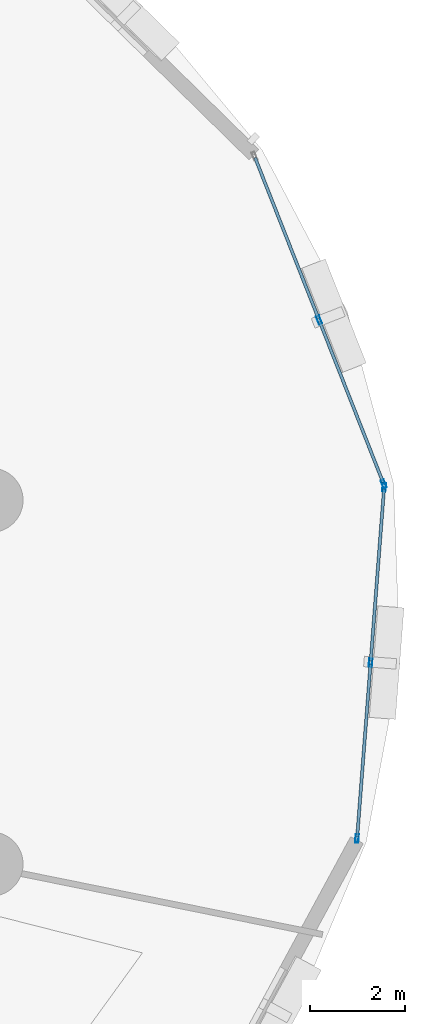
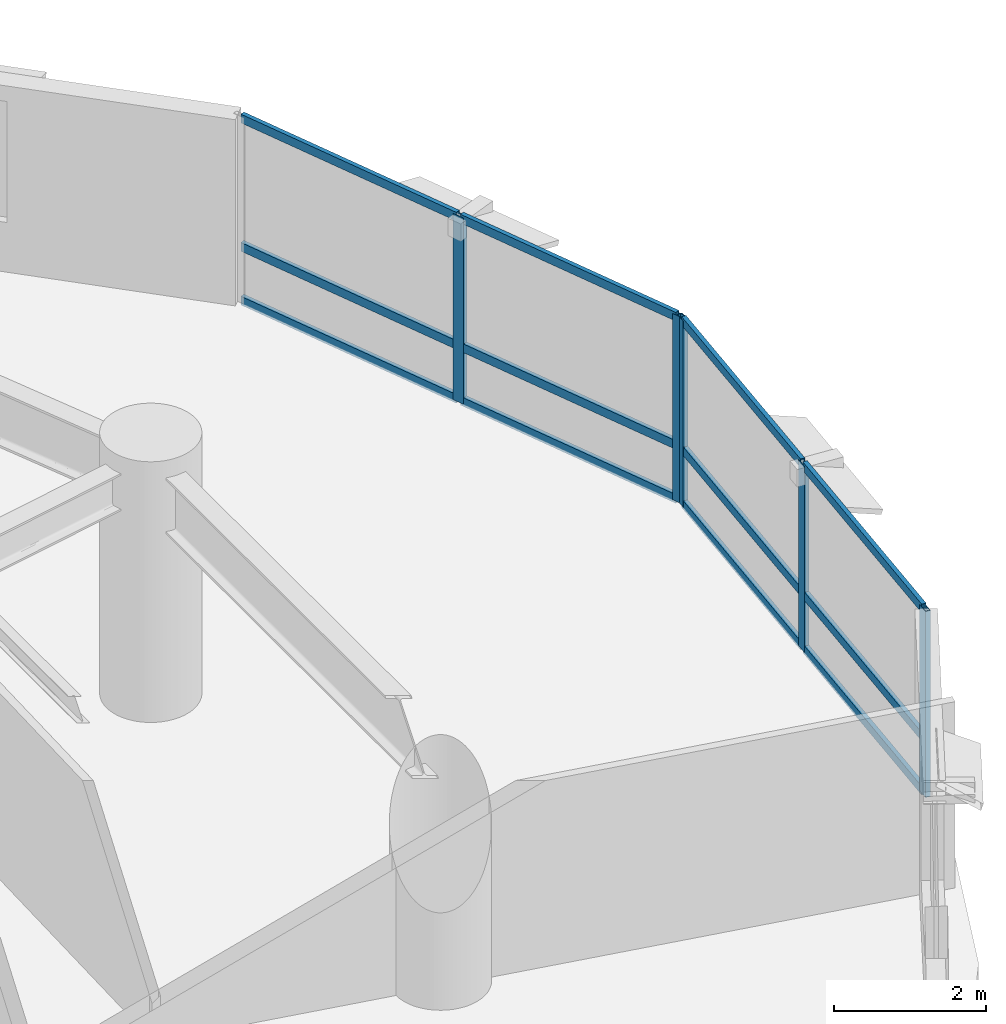
# One storey, part 8 of 17: 17 members, 2 elements without a shape of their own.
"""IFC4 building model written with IfcOpenShell, lengths in metres."""

import ifcopenshell
import ifcopenshell.guid

model = None  # the IFC model being written
_history = None  # IfcOwnerHistory: only IFC2X3 demands one
_inside = {}  # id of a spatial element -> (the spatial element, [elements in it])
_under = {}  # id of a project, library or spatial element -> (it, [spatial elements below it])
_declared = {}  # id of a project -> (the project, [libraries it declares])
_typed = {}  # id of a type object -> (the type object, [elements of that type])
_made_of = {}  # id of a material, layer set ... -> (it, [elements and type objects made of it])


def new_model(schema):
    """Start an empty IFC model of exactly this schema.

    Asked for "IFC4X3", IfcOpenShell would pick the latest addendum, in which some entities
    have other attributes; the version numbers below select the first issue.
    IFC2X3 requires an IfcOwnerHistory on every rooted entity: one is made here for all.
    """
    global model, _history
    if schema == "IFC4X3":
        model = ifcopenshell.file(schema_version=(4, 3, 0, 0))
    else:
        model = ifcopenshell.file(schema=schema)
    _inside.clear()
    _under.clear()
    _declared.clear()
    _typed.clear()
    _made_of.clear()
    _history = None
    if model.schema == "IFC2X3":
        org = make("IfcOrganization", Name="unknown")
        user = make(
            "IfcPersonAndOrganization",
            ThePerson=make("IfcPerson", FamilyName="unknown"),
            TheOrganization=org,
        )
        app = make(
            "IfcApplication",
            ApplicationDeveloper=org,
            Version="unknown",
            ApplicationFullName="unknown",
            ApplicationIdentifier="unknown",
        )
        _history = make(
            "IfcOwnerHistory",
            OwningUser=user,
            OwningApplication=app,
            ChangeAction="ADDED",
            CreationDate=0,
        )
    return model


def make(cls, **values):
    """One entity of the class cls with the attributes given. An attribute that is None is left unset."""
    return model.create_entity(
        cls, **{name: value for name, value in values.items() if value is not None}
    )


def rooted(cls, **values):
    """An entity with a GlobalId (a new one), such as an element, a storey or a relation."""
    return make(cls, GlobalId=ifcopenshell.guid.new(), OwnerHistory=_history, **values)


def si_unit(unit_type, name, prefix=None):
    """IfcSIUnit, for example si_unit("LENGTHUNIT", "METRE", prefix="MILLI")."""
    return make("IfcSIUnit", UnitType=unit_type, Prefix=prefix, Name=name)


def assignment(units):
    """IfcUnitAssignment: the units of a project."""
    return None if units is None else make("IfcUnitAssignment", Units=units)


def point(xyz):
    """IfcCartesianPoint."""
    return None if xyz is None else make("IfcCartesianPoint", Coordinates=xyz)


def direction(xyz):
    """IfcDirection."""
    return None if xyz is None else make("IfcDirection", DirectionRatios=xyz)


def frame(location, z_axis=None, x_axis=None):
    """IfcAxis2Placement3D, a coordinate frame: its origin and axes. An axis left out is left unset."""
    return make(
        "IfcAxis2Placement3D",
        Location=point(location),
        Axis=direction(z_axis),
        RefDirection=direction(x_axis),
    )


def frame_2d(location, x_axis=None):
    """IfcAxis2Placement2D, a coordinate frame in the plane: its origin and x axis."""
    return make(
        "IfcAxis2Placement2D", Location=point(location), RefDirection=direction(x_axis)
    )


def origin():
    """The frame at (0, 0, 0) with its axes left unset."""
    return frame((0.0, 0.0, 0.0))


def origin_2d():
    """The frame at (0, 0) in the plane with its x axis left unset."""
    return frame_2d((0.0, 0.0))


def place(relative_to, where):
    """IfcLocalPlacement: puts the frame where relative to a parent placement (None: the world)."""
    return make(
        "IfcLocalPlacement", PlacementRelTo=relative_to, RelativePlacement=where
    )


def context(
    kind, dimensions, precision=None, world=None, true_north=None, identifier=None
):
    """IfcGeometricRepresentationContext, for example the 3D "Model" context."""
    return make(
        "IfcGeometricRepresentationContext",
        ContextIdentifier=identifier,
        ContextType=kind,
        CoordinateSpaceDimension=dimensions,
        Precision=precision,
        WorldCoordinateSystem=world,
        TrueNorth=true_north,
    )


def subcontext(parent, identifier, kind, view, scale=None):
    """IfcGeometricRepresentationSubContext, for example "Body" below "Model"."""
    return make(
        "IfcGeometricRepresentationSubContext",
        ContextIdentifier=identifier,
        ContextType=kind,
        ParentContext=parent,
        TargetScale=scale,
        TargetView=view,
    )


def project(units=None, contexts=None):
    """IfcProject with its units and contexts."""
    return rooted(
        "IfcProject",
        Name="project",
        RepresentationContexts=contexts,
        UnitsInContext=assignment(units),
    )


def spatial(cls, under=None, at=None, **own):
    """A site, building, storey or space (cls), placed at a placement, below another one or the project."""
    s = rooted(cls, ObjectPlacement=at, **own)
    if under is not None:
        _under.setdefault(under.id(), (under, []))[1].append(s)
    return s


def profile(cls, at=None, kind="AREA", **sizes):
    """A parametric profile (cls). Its sizes go by their IFC names, for example OverallWidth=200.0."""
    return make(cls, ProfileType=kind, Position=at, **sizes)


def hollow_rectangle(**sizes):
    """IfcRectangleHollowProfileDef."""
    return profile("IfcRectangleHollowProfileDef", **sizes)


def extrude(swept, where, along, depth):
    """IfcExtrudedAreaSolid: the profile swept, set in the frame where, extruded along a direction by depth."""
    return make(
        "IfcExtrudedAreaSolid",
        SweptArea=swept,
        Position=where,
        ExtrudedDirection=direction(along),
        Depth=depth,
    )


def shape(context_of_items, identifier, shape_type, items):
    """IfcShapeRepresentation: the items that make up one representation, for example the "Body"."""
    return make(
        "IfcShapeRepresentation",
        ContextOfItems=context_of_items,
        RepresentationIdentifier=identifier,
        RepresentationType=shape_type,
        Items=items,
    )


def material(Name=None, Category=None):
    """IfcMaterial."""
    return make("IfcMaterial", Name=Name, Category=Category)


def layer(
    of_material, thickness, ventilated=None, Name=None, Category=None, Priority=None
):
    """IfcMaterialLayer: one layer of a wall or slab, of a material (None: an air gap)."""
    return make(
        "IfcMaterialLayer",
        Material=of_material,
        LayerThickness=thickness,
        IsVentilated=ventilated,
        Name=Name,
        Category=Category,
        Priority=Priority,
    )


def layer_set(layers, Name=None):
    """IfcMaterialLayerSet."""
    return make("IfcMaterialLayerSet", MaterialLayers=layers, LayerSetName=Name)


def material_profile(
    of_material, cross_section, Name=None, Category=None, Priority=None
):
    """IfcMaterialProfile: a cross section and its material."""
    return make(
        "IfcMaterialProfile",
        Name=Name,
        Material=of_material,
        Profile=cross_section,
        Priority=Priority,
        Category=Category,
    )


def profile_set(profiles, Name=None, composite=None):
    """IfcMaterialProfileSet."""
    return make(
        "IfcMaterialProfileSet",
        Name=Name,
        MaterialProfiles=profiles,
        CompositeProfile=composite,
    )


def made_of(thing, what):
    """Note that an element or type object is made of a material, layer set ...; save() writes the relation."""
    if what is not None:
        _made_of.setdefault(what.id(), (what, []))[1].append(thing)
    return thing


def type_object(cls, material=None, **own):
    """A type object (cls), such as IfcWallType, which elements share."""
    return made_of(rooted(cls, **own), material)


def element(
    cls,
    number,
    at=None,
    inside=None,
    cuts=None,
    type_object=None,
    material=None,
    context=None,
    identifier="Body",
    shape_type=None,
    held_by="IfcProductDefinitionShape",
    body=None,
    shapes=None,
    **own,
):
    """One element of the class cls, such as IfcWall. Its Tag is "e" and its number.

    at: its placement. inside: the storey or other place that contains it. cuts: it is an
    opening in that element (IfcRelVoidsElement). A single representation is given by context,
    identifier, shape_type and body (its items); several are given by shapes. held_by: the class
    of the entity that holds the representations. save() writes the other relations.
    """
    e = rooted(cls, Tag="e%d" % number, ObjectPlacement=at, **own)
    if body is not None:
        shapes = [shape(context, identifier, shape_type, body)]
    if shapes is not None:
        e.Representation = make(held_by, Representations=shapes)
    if inside is not None:
        _inside.setdefault(inside.id(), (inside, []))[1].append(e)
    if cuts is not None:
        rooted(
            "IfcRelVoidsElement", RelatingBuildingElement=cuts, RelatedOpeningElement=e
        )
    if type_object is not None:
        _typed.setdefault(type_object.id(), (type_object, []))[1].append(e)
    return made_of(e, material)


def aggregate(whole, parts):
    """IfcRelAggregates: a whole, such as a stair, and the parts it consists of."""
    return rooted("IfcRelAggregates", RelatingObject=whole, RelatedObjects=parts)


def save(model, path):
    """Write the relations noted so far, then the file.

    IfcRelAggregates (storeys below a building ...), IfcRelContainedInSpatialStructure (elements
    in a storey), IfcRelDefinesByType, IfcRelAssociatesMaterial and IfcRelDeclares: one each for
    every whole, place, type object, material and project.
    """
    for whole, parts in _under.values():
        aggregate(whole, parts)
    for where, things in _inside.values():
        rooted(
            "IfcRelContainedInSpatialStructure",
            RelatedElements=things,
            RelatingStructure=where,
        )
    for kind, things in _typed.values():
        rooted("IfcRelDefinesByType", RelatedObjects=things, RelatingType=kind)
    for what, things in _made_of.values():
        rooted("IfcRelAssociatesMaterial", RelatedObjects=things, RelatingMaterial=what)
    for by, libraries in _declared.values():
        rooted("IfcRelDeclares", RelatingContext=by, RelatedDefinitions=libraries)
    model.write(path)


model = new_model("IFC4")

# Units and contexts
model_context = context("Model", 3, precision=1e-05, world=origin(), true_north=direction((0.0, 1.0)))
body_context = subcontext(model_context, "Body", "Model", "MODEL_VIEW")
ifc_project = project(units=[si_unit("LENGTHUNIT", "METRE"), si_unit("AREAUNIT", "SQUARE_METRE"), si_unit("VOLUMEUNIT", "CUBIC_METRE"), si_unit("PLANEANGLEUNIT", "RADIAN"), si_unit("MASSUNIT", "GRAM", prefix="KILO"), si_unit("THERMODYNAMICTEMPERATUREUNIT", "KELVIN"), si_unit("POWERUNIT", "WATT")], contexts=[model_context])

# Site, building, storey
site_placement = place(None, origin())
site = spatial("IfcSite", under=ifc_project, at=site_placement, CompositionType="ELEMENT")
building_placement = place(site_placement, origin())
building = spatial("IfcBuilding", under=site, at=building_placement, Name="Ocrelia Relay Tower", CompositionType="ELEMENT")
storey_placement = place(building_placement, frame((0.0, 0.0, 67.800048828125)))
storey = spatial("IfcBuildingStorey", under=building, at=storey_placement, Name="L15", CompositionType="ELEMENT", Elevation=67.800048828125)

# Curtain wall, members
ifc_material_1 = material(Name="Aluminium and solar-control low-E glass", Category="aluminium")
ifc_layer = layer(ifc_material_1, 0.179931640625, Name="Aluminium and solar-control low-E glass")
ifc_layer_set = layer_set([ifc_layer], Name="Aluminium and solar-control low-E glass")
curtain_wall_type = type_object("IfcCurtainWallType", Name="CW-SYS-Z1-DATA", PredefinedType="NOTDEFINED", material=ifc_layer_set)
curtain_wall_1_placement = place(storey_placement, origin())
curtain_wall_1 = element("IfcCurtainWall", 1, at=curtain_wall_1_placement, inside=storey, type_object=curtain_wall_type, Name="L15 Elliptical Tower Curtain Wall Bay 01", PredefinedType="NOTDEFINED")
ifc_material_2 = material(Name="Anodised bronze aluminium", Category="aluminium")
ifc_material_profile_1 = material_profile(ifc_material_2, hollow_rectangle(XDim=0.070068359375, YDim=0.179931640625, WallThickness=0.006103515625, at=origin_2d()), Name="CW-MUL-180x70")
ifc_profile_set_1 = profile_set([ifc_material_profile_1], Name="Anodised bronze aluminium")
member_type_1 = type_object("IfcMemberType", Name="CW-SYS-Z1-DATA-MUL", PredefinedType="MULLION", material=ifc_profile_set_1)
member_1_placement = place(storey_placement, frame((61.478271484375, 30.165771484375, 0.0), z_axis=(0.0, 0.0, 1.0), x_axis=(-0.930352257537, -0.366666983645, 0.0)))
member_1 = element("IfcMember", 2, at=member_1_placement, type_object=member_type_1, Name="CW-Z1 mullion 1", PredefinedType="MULLION", context=body_context, shape_type="SweptSolid", body=[
    extrude(hollow_rectangle(XDim=0.070068359375, YDim=0.179931640625, WallThickness=0.006103515625, at=origin_2d()), origin(), (0.0, 0.0, 1.0), 3.0),
])
member_2_placement = place(storey_placement, frame((60.12060546875, 33.610595703125, 0.0), z_axis=(0.0, 0.0, 1.0), x_axis=(-0.930352257537, -0.366666983645, 0.0)))
member_2 = element("IfcMember", 3, at=member_2_placement, type_object=member_type_1, Name="CW-Z1 mullion 2", PredefinedType="MULLION", context=body_context, shape_type="SweptSolid", body=[
    extrude(hollow_rectangle(XDim=0.070068359375, YDim=0.179931640625, WallThickness=0.006103515625, at=origin_2d()), origin(), (0.0, 0.0, 1.0), 3.0),
])

curtain_wall_2_placement = place(storey_placement, origin())
curtain_wall_2 = element("IfcCurtainWall", 4, at=curtain_wall_2_placement, inside=storey, type_object=curtain_wall_type, Name="L15 Elliptical Tower Curtain Wall Bay 18", PredefinedType="NOTDEFINED")
member_3_placement = place(storey_placement, frame((60.9189453125, 22.714599609375, 0.0), z_axis=(0.0, 0.0, 1.0), x_axis=(-0.997039436731, 0.076891882558, 0.0)))
member_3 = element("IfcMember", 5, at=member_3_placement, type_object=member_type_1, Name="CW-Z1 mullion 1", PredefinedType="MULLION", context=body_context, shape_type="SweptSolid", body=[
    extrude(hollow_rectangle(XDim=0.070068359375, YDim=0.179931640625, WallThickness=0.006103515625, at=origin_2d()), origin(), (0.0, 0.0, 1.0), 3.0),
])
member_4_placement = place(storey_placement, frame((61.20361328125, 26.406494140625, 0.0), z_axis=(0.0, 0.0, 1.0), x_axis=(-0.997039436731, 0.076891882558, 0.0)))
member_4 = element("IfcMember", 6, at=member_4_placement, type_object=member_type_1, Name="CW-Z1 mullion 2", PredefinedType="MULLION", context=body_context, shape_type="SweptSolid", body=[
    extrude(hollow_rectangle(XDim=0.070068359375, YDim=0.179931640625, WallThickness=0.006103515625, at=origin_2d()), origin(), (0.0, 0.0, 1.0), 3.0),
])
member_5_placement = place(storey_placement, frame((61.48828125, 30.09814453125, 0.0), z_axis=(0.0, 0.0, 1.0), x_axis=(-0.997039436731, 0.076891882558, 0.0)))
member_5 = element("IfcMember", 7, at=member_5_placement, type_object=member_type_1, Name="CW-Z1 mullion 3", PredefinedType="MULLION", context=body_context, shape_type="SweptSolid", body=[
    extrude(hollow_rectangle(XDim=0.070068359375, YDim=0.179931640625, WallThickness=0.006103515625, at=origin_2d()), origin(), (0.0, 0.0, 1.0), 3.0),
])

# Member
ifc_material_profile_2 = material_profile(ifc_material_2, hollow_rectangle(XDim=0.06494140625, YDim=0.139892578125, WallThickness=0.0048828125, at=origin_2d()), Name="CW-TRN-140x65")
ifc_profile_set_2 = profile_set([ifc_material_profile_2], Name="Anodised bronze aluminium")
member_type_2 = type_object("IfcMemberType", Name="CW-SYS-Z1-DATA-TRN", PredefinedType="USERDEFINED", material=ifc_profile_set_2)
member_6_placement = place(storey_placement, frame((61.46533203125, 30.1982421875, 0.032470703125), z_axis=(-0.366681418555, 0.930346568375, 0.0), x_axis=(-0.930346568375, -0.366681418555, 0.0)))
member_6 = element("IfcMember", 8, at=member_6_placement, type_object=member_type_2, Name="CW-Z1 transom 1.1", ObjectType="TRANSOM", PredefinedType="USERDEFINED", context=body_context, shape_type="SweptSolid", body=[
    extrude(hollow_rectangle(XDim=0.06494140625, YDim=0.139892578125, WallThickness=0.0048828125, at=origin_2d()), origin(), (0.0, 0.0, 1.0), 3.632568359375),
])

member_7_placement = place(storey_placement, frame((61.46533203125, 30.1982421875, 0.89990234375), z_axis=(-0.366681418555, 0.930346568375, 0.0), x_axis=(-0.930346568375, -0.366681418555, 0.0)))
member_7 = element("IfcMember", 9, at=member_7_placement, type_object=member_type_2, Name="CW-Z1 transom 1.2", ObjectType="TRANSOM", PredefinedType="USERDEFINED", context=body_context, shape_type="SweptSolid", body=[
    extrude(hollow_rectangle(XDim=0.06494140625, YDim=0.139892578125, WallThickness=0.0048828125, at=origin_2d()), origin(), (0.0, 0.0, 1.0), 3.632568359375),
])

member_8_placement = place(storey_placement, frame((61.46533203125, 30.1982421875, 2.967529296875), z_axis=(-0.366681418555, 0.930346568375, 0.0), x_axis=(-0.930346568375, -0.366681418555, 0.0)))
member_8 = element("IfcMember", 10, at=member_8_placement, type_object=member_type_2, Name="CW-Z1 transom 1.3", ObjectType="TRANSOM", PredefinedType="USERDEFINED", context=body_context, shape_type="SweptSolid", body=[
    extrude(hollow_rectangle(XDim=0.06494140625, YDim=0.139892578125, WallThickness=0.0048828125, at=origin_2d()), origin(), (0.0, 0.0, 1.0), 3.632568359375),
])

member_9_placement = place(storey_placement, frame((60.107666015625, 33.64306640625, 0.032470703125), z_axis=(-0.366681418555, 0.930346568375, 0.0), x_axis=(-0.930346568375, -0.366681418555, 0.0)))
member_9 = element("IfcMember", 11, at=member_9_placement, type_object=member_type_2, Name="CW-Z1 transom 2.1", ObjectType="TRANSOM", PredefinedType="USERDEFINED", context=body_context, shape_type="SweptSolid", body=[
    extrude(hollow_rectangle(XDim=0.06494140625, YDim=0.139892578125, WallThickness=0.0048828125, at=origin_2d()), origin(), (0.0, 0.0, 1.0), 3.632568359375),
])

member_10_placement = place(storey_placement, frame((60.107666015625, 33.64306640625, 0.89990234375), z_axis=(-0.366681418555, 0.930346568375, 0.0), x_axis=(-0.930346568375, -0.366681418555, 0.0)))
member_10 = element("IfcMember", 12, at=member_10_placement, type_object=member_type_2, Name="CW-Z1 transom 2.2", ObjectType="TRANSOM", PredefinedType="USERDEFINED", context=body_context, shape_type="SweptSolid", body=[
    extrude(hollow_rectangle(XDim=0.06494140625, YDim=0.139892578125, WallThickness=0.0048828125, at=origin_2d()), origin(), (0.0, 0.0, 1.0), 3.632568359375),
])

member_11_placement = place(storey_placement, frame((60.107666015625, 33.64306640625, 2.967529296875), z_axis=(-0.366681418555, 0.930346568375, 0.0), x_axis=(-0.930346568375, -0.366681418555, 0.0)))
member_11 = element("IfcMember", 13, at=member_11_placement, type_object=member_type_2, Name="CW-Z1 transom 2.3", ObjectType="TRANSOM", PredefinedType="USERDEFINED", context=body_context, shape_type="SweptSolid", body=[
    extrude(hollow_rectangle(XDim=0.06494140625, YDim=0.139892578125, WallThickness=0.0048828125, at=origin_2d()), origin(), (0.0, 0.0, 1.0), 3.632568359375),
])

aggregate(curtain_wall_1, [member_1, member_2, member_6, member_7, member_8, member_9, member_10, member_11])

member_12_placement = place(storey_placement, frame((60.921630859375, 22.74951171875, 0.032470703125), z_axis=(0.076881506537, 0.997040236877, 0.0), x_axis=(-0.997040236877, 0.076881506537, 0.0)))
member_12 = element("IfcMember", 14, at=member_12_placement, type_object=member_type_2, Name="CW-Z1 transom 1.1", ObjectType="TRANSOM", PredefinedType="USERDEFINED", context=body_context, shape_type="SweptSolid", body=[
    extrude(hollow_rectangle(XDim=0.06494140625, YDim=0.139892578125, WallThickness=0.0048828125, at=origin_2d()), origin(), (0.0, 0.0, 1.0), 3.6328125),
])

member_13_placement = place(storey_placement, frame((60.921630859375, 22.74951171875, 0.89990234375), z_axis=(0.076881506537, 0.997040236877, 0.0), x_axis=(-0.997040236877, 0.076881506537, 0.0)))
member_13 = element("IfcMember", 15, at=member_13_placement, type_object=member_type_2, Name="CW-Z1 transom 1.2", ObjectType="TRANSOM", PredefinedType="USERDEFINED", context=body_context, shape_type="SweptSolid", body=[
    extrude(hollow_rectangle(XDim=0.06494140625, YDim=0.139892578125, WallThickness=0.0048828125, at=origin_2d()), origin(), (0.0, 0.0, 1.0), 3.6328125),
])

member_14_placement = place(storey_placement, frame((60.921630859375, 22.74951171875, 2.967529296875), z_axis=(0.076881506537, 0.997040236877, 0.0), x_axis=(-0.997040236877, 0.076881506537, 0.0)))
member_14 = element("IfcMember", 16, at=member_14_placement, type_object=member_type_2, Name="CW-Z1 transom 1.3", ObjectType="TRANSOM", PredefinedType="USERDEFINED", context=body_context, shape_type="SweptSolid", body=[
    extrude(hollow_rectangle(XDim=0.06494140625, YDim=0.139892578125, WallThickness=0.0048828125, at=origin_2d()), origin(), (0.0, 0.0, 1.0), 3.6328125),
])

member_15_placement = place(storey_placement, frame((61.206298828125, 26.44140625, 0.032470703125), z_axis=(0.076886658343, 0.99703983961, 0.0), x_axis=(-0.99703983961, 0.076886658343, 0.0)))
member_15 = element("IfcMember", 17, at=member_15_placement, type_object=member_type_2, Name="CW-Z1 transom 2.1", ObjectType="TRANSOM", PredefinedType="USERDEFINED", context=body_context, shape_type="SweptSolid", body=[
    extrude(hollow_rectangle(XDim=0.06494140625, YDim=0.139892578125, WallThickness=0.0048828125, at=origin_2d()), origin(), (0.0, 0.0, 1.0), 3.632568359375),
])

member_16_placement = place(storey_placement, frame((61.206298828125, 26.44140625, 0.89990234375), z_axis=(0.076886658343, 0.99703983961, 0.0), x_axis=(-0.99703983961, 0.076886658343, 0.0)))
member_16 = element("IfcMember", 18, at=member_16_placement, type_object=member_type_2, Name="CW-Z1 transom 2.2", ObjectType="TRANSOM", PredefinedType="USERDEFINED", context=body_context, shape_type="SweptSolid", body=[
    extrude(hollow_rectangle(XDim=0.06494140625, YDim=0.139892578125, WallThickness=0.0048828125, at=origin_2d()), origin(), (0.0, 0.0, 1.0), 3.632568359375),
])

member_17_placement = place(storey_placement, frame((61.206298828125, 26.44140625, 2.967529296875), z_axis=(0.076886658343, 0.99703983961, 0.0), x_axis=(-0.99703983961, 0.076886658343, 0.0)))
member_17 = element("IfcMember", 19, at=member_17_placement, type_object=member_type_2, Name="CW-Z1 transom 2.3", ObjectType="TRANSOM", PredefinedType="USERDEFINED", context=body_context, shape_type="SweptSolid", body=[
    extrude(hollow_rectangle(XDim=0.06494140625, YDim=0.139892578125, WallThickness=0.0048828125, at=origin_2d()), origin(), (0.0, 0.0, 1.0), 3.632568359375),
])

aggregate(curtain_wall_2, [member_3, member_4, member_5, member_12, member_13, member_14, member_15, member_16, member_17])

save(model, "model.ifc")
